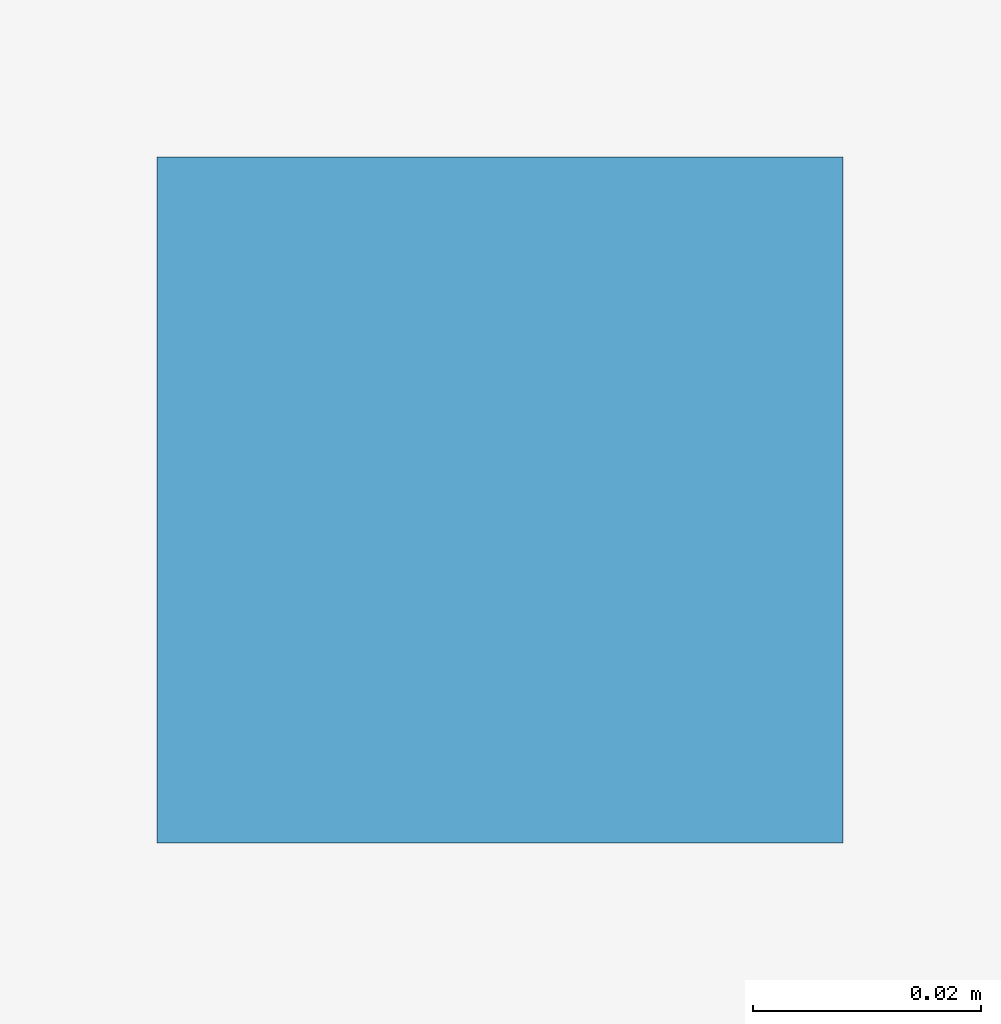
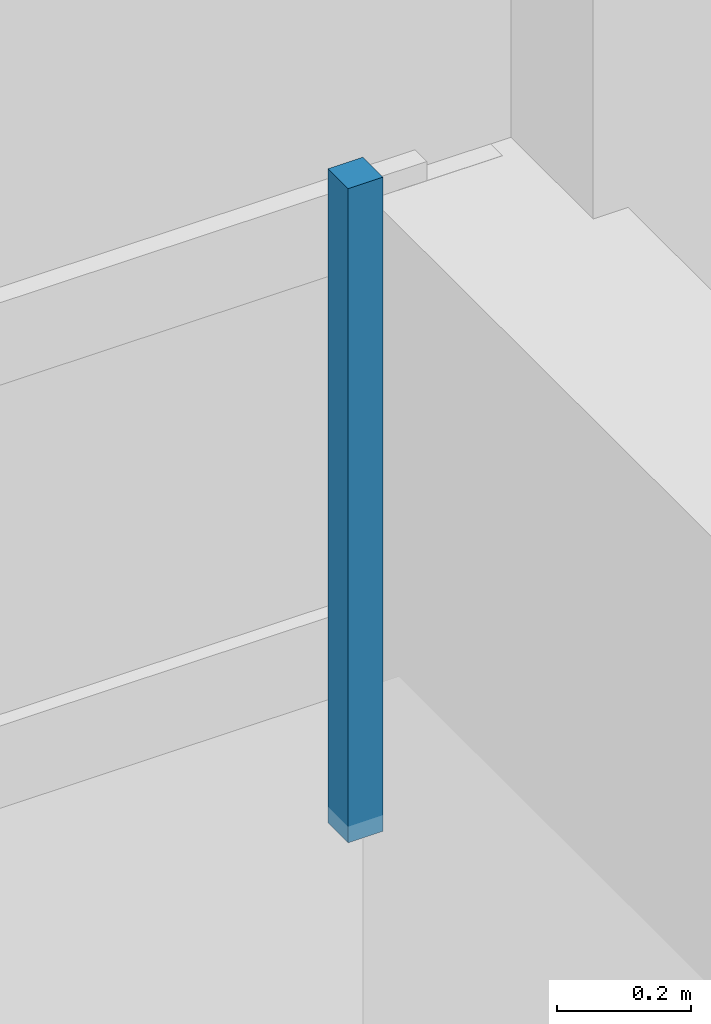
# One storey, part 89 of 107: 1 discrete accessory.
"""IFC4 building model written with IfcOpenShell, lengths in metres."""

from ifc_helpers import new_model, si_unit, direction, frame, origin, place, context, subcontext, project, spatial, polyline, outline, extrude, material, type_object, element, save


model = new_model("IFC4")

# Units and contexts
model_context = context("Model", 3, precision=1e-05, world=origin(), true_north=direction((0.0, 1.0)))
body_context = subcontext(model_context, "Body", "Model", "MODEL_VIEW")
ifc_project = project(units=[si_unit("LENGTHUNIT", "METRE"), si_unit("AREAUNIT", "SQUARE_METRE"), si_unit("VOLUMEUNIT", "CUBIC_METRE"), si_unit("PLANEANGLEUNIT", "RADIAN"), si_unit("MASSUNIT", "GRAM", prefix="KILO")], contexts=[model_context])

# Site, building, storey
site_placement = place(None, origin())
site = spatial("IfcSite", under=ifc_project, at=site_placement, CompositionType="ELEMENT")
building_placement = place(site_placement, origin())
building = spatial("IfcBuilding", under=site, at=building_placement, Name="Dunescarp Central Library", CompositionType="ELEMENT")
storey_placement = place(building_placement, frame((0.0, 0.0, 5.10009765625)))
storey = spatial("IfcBuildingStorey", under=building, at=storey_placement, Name="L01", CompositionType="ELEMENT", Elevation=5.10009765625)

# Discrete accessory
ifc_material = material(Name="Stainless steel Grade 316L", Category="steel")
discrete_accessory_type = type_object("IfcDiscreteAccessoryType", Name="ARC-ACC-BRK", PredefinedType="BRACKET", material=ifc_material)
discrete_accessory_placement = place(storey_placement, frame((0.0, 0.0, 3.059814453125)))
element("IfcDiscreteAccessory", 1, at=discrete_accessory_placement, inside=storey, type_object=discrete_accessory_type, Name="L01 ceiling hanger CLG-L01-150-H2", PredefinedType="BRACKET", context=body_context, shape_type="SweptSolid", body=[
    extrude(outline(polyline([(167.22998046875, 44.3798828125), (167.2900390625, 44.3798828125), (167.2900390625, 44.43994140625), (167.22998046875, 44.43994140625), (167.22998046875, 44.3798828125)])), origin(), (0.0, 0.0, 1.0), 1.190185546875),
])

save(model, "model.ifc")
